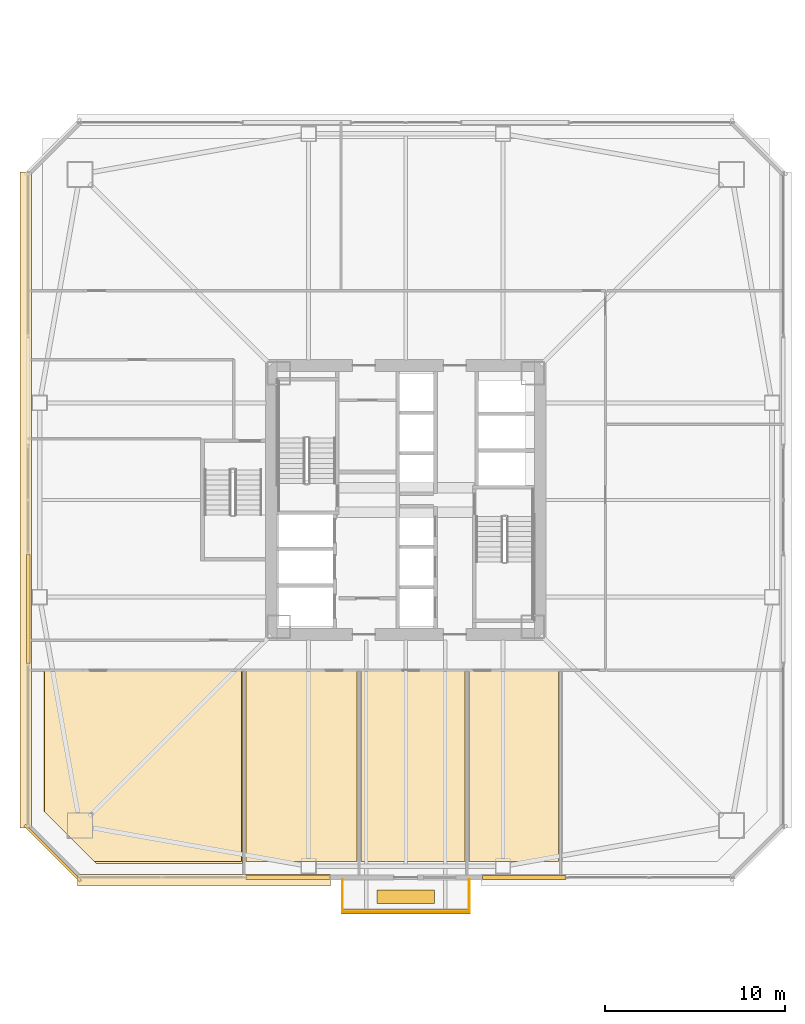
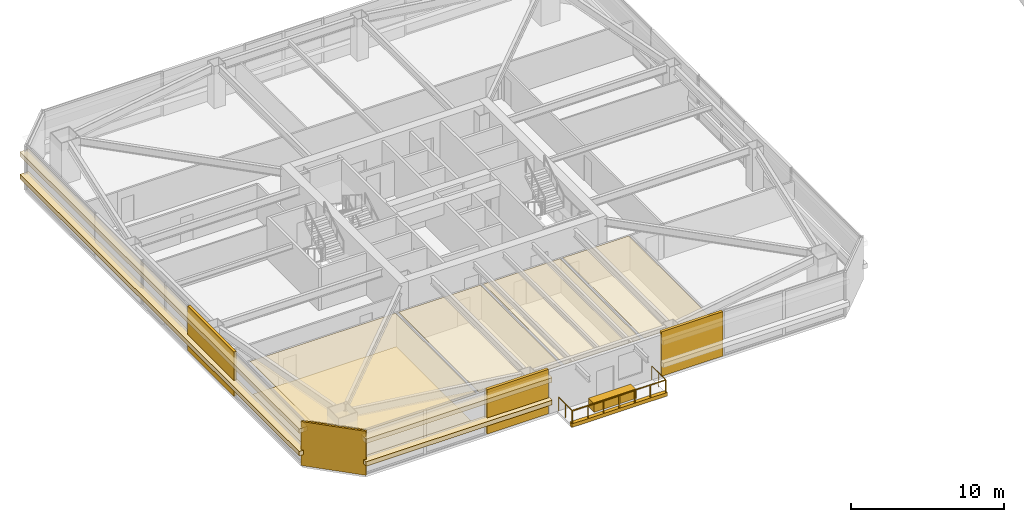
# One storey, part 38 of 44: 15 coverings, 3 railings.
"""IFC4 building model written with IfcOpenShell, lengths in metres."""

from ifc_helpers import new_model, si_unit, direction, frame, origin, origin_2d, place, context, subcontext, project, spatial, polyline, rectangle, outline, extrude, material, layer, layer_set, type_object, element, save


model = new_model("IFC4")

# Units and contexts
model_context = context("Model", 3, precision=1e-05, world=origin(), true_north=direction((0.0, 1.0)))
body_context = subcontext(model_context, "Body", "Model", "MODEL_VIEW")
ifc_project = project(units=[si_unit("LENGTHUNIT", "METRE"), si_unit("AREAUNIT", "SQUARE_METRE"), si_unit("VOLUMEUNIT", "CUBIC_METRE"), si_unit("PLANEANGLEUNIT", "RADIAN"), si_unit("MASSUNIT", "GRAM", prefix="KILO")], contexts=[model_context])

# Site, building, storey
site_placement = place(None, origin())
site = spatial("IfcSite", under=ifc_project, at=site_placement, CompositionType="ELEMENT")
building_placement = place(site_placement, origin())
building = spatial("IfcBuilding", under=site, at=building_placement, Name="Tashvorn Skyway Center", CompositionType="ELEMENT")
storey_placement = place(building_placement, frame((0.0, 0.0, 92.050048828125)))
storey = spatial("IfcBuildingStorey", under=building, at=storey_placement, Name="L24", CompositionType="ELEMENT", Elevation=92.050048828125)

# Coverings
ifc_material_1 = material(Name="Precast concrete C40/50", Category="concrete")
ifc_layer_1 = layer(ifc_material_1, 0.199951171875)
ifc_layer_set_1 = layer_set([ifc_layer_1], Name="Precast concrete C40/50")
covering_type_1 = type_object("IfcCoveringType", Name="COV-BRACE-CLAD", PredefinedType="CLADDING", material=ifc_layer_set_1)
for number, where, z_axis, x_axis, name in (
    (1, (48.571533203125, 11.02001953125, 0.0), (0.0, 0.0, 1.0), (-1.0, 0.0, 0.0), "Tower 1 L24 South Curtain Wall L Mega-Brace Cladding Band 1"),
    (2, (35.428466796875, 11.02001953125, 0.0), (0.0, 0.0, 1.0), (-1.0, 0.0, 0.0), "Tower 1 L24 South Curtain Wall R Mega-Brace Cladding Band 1"),
):
    element("IfcCovering", number, at=place(storey_placement, frame(where, z_axis=z_axis, x_axis=x_axis)), inside=storey, type_object=covering_type_1, Name=name, PredefinedType="CLADDING", context=body_context, shape_type="SweptSolid", body=[
        extrude(rectangle(XDim=4.643310546875, YDim=0.199951171875, at=origin_2d()), origin(), (0.0, 0.0, 1.0), 3.550048828125),
    ])
covering_1_placement = place(storey_placement, frame((21.02001953125, 25.93994140625, 0.0), z_axis=(0.0, 0.0, 1.0), x_axis=(0.0, 1.0, 0.0)))
element("IfcCovering", 3, at=covering_1_placement, inside=storey, type_object=covering_type_1, Name="Tower 1 L24 West Unitised Curtain Wall Mega-Brace Cladding Band 1", PredefinedType="CLADDING", context=body_context, shape_type="SweptSolid", body=[
    extrude(rectangle(XDim=6.06005859375, YDim=0.199951171875, at=origin_2d()), origin(), (0.0, 0.0, 1.0), 3.550048828125),
])
ifc_material_2 = material(Name="Mineral-fibre acoustic ceiling tile on suspended grid")
ifc_layer_2 = layer(ifc_material_2, 0.02001953125)
ifc_layer_set_2 = layer_set([ifc_layer_2], Name="Mineral-fibre acoustic ceiling tile on suspended grid")
covering_type_2 = type_object("IfcCoveringType", Name="COV-CEIL-20", PredefinedType="CEILING", material=ifc_layer_set_2)
covering_2_placement = place(storey_placement, frame((0.0, 0.0, 2.682861328125)))
element("IfcCovering", 4, at=covering_2_placement, inside=storey, type_object=covering_type_2, Name="Tower 1 L24 Executive Study Lounge Acoustic Ceiling", PredefinedType="CEILING", context=body_context, shape_type="SweptSolid", body=[
    extrude(outline(polyline([(21.919921875, 22.510009765625), (32.8798828125, 22.510009765625), (32.8798828125, 11.919921875), (24.679931640625, 11.919921875), (21.919921875, 14.679931640625), (21.919921875, 22.510009765625)])), origin(), (0.0, 0.0, 1.0), 0.02001953125),
])
covering_3_placement = place(storey_placement, frame((0.0, 0.0, 2.682861328125)))
element("IfcCovering", 5, at=covering_3_placement, inside=storey, type_object=covering_type_2, Name="Tower 1 L24 Collaborative Studio Acoustic Ceiling", PredefinedType="CEILING", context=body_context, shape_type="SweptSolid", body=[
    extrude(outline(polyline([(33.1201171875, 22.510009765625), (39.280029296875, 22.510009765625), (39.280029296875, 11.919921875), (33.1201171875, 11.919921875), (33.1201171875, 22.510009765625)])), origin(), (0.0, 0.0, 1.0), 0.02001953125),
])
covering_4_placement = place(storey_placement, frame((0.0, 0.0, 2.682861328125)))
element("IfcCovering", 6, at=covering_4_placement, inside=storey, type_object=covering_type_2, Name="Tower 1 L24 Collaborative Studio Acoustic Ceiling", PredefinedType="CEILING", context=body_context, shape_type="SweptSolid", body=[
    extrude(outline(polyline([(39.52001953125, 22.510009765625), (45.280029296875, 22.510009765625), (45.280029296875, 11.919921875), (39.52001953125, 11.919921875), (39.52001953125, 22.510009765625)])), origin(), (0.0, 0.0, 1.0), 0.02001953125),
])
covering_5_placement = place(storey_placement, frame((0.0, 0.0, 2.682861328125)))
element("IfcCovering", 7, at=covering_5_placement, inside=storey, type_object=covering_type_2, Name="Tower 1 L24 Reading Lounge Acoustic Ceiling", PredefinedType="CEILING", context=body_context, shape_type="SweptSolid", body=[
    extrude(outline(polyline([(45.52001953125, 22.510009765625), (50.47998046875, 22.510009765625), (50.47998046875, 11.919921875), (45.52001953125, 11.919921875), (45.52001953125, 22.510009765625)])), origin(), (0.0, 0.0, 1.0), 0.02001953125),
])
ifc_material_3 = material(Name="Polished Mojave desert-aggregate terrazzo and cover plate")
ifc_layer_3 = layer(ifc_material_3, 0.0400390625)
ifc_layer_set_3 = layer_set([ifc_layer_3], Name="Polished Mojave desert-aggregate terrazzo and cover plate")
covering_type_3 = type_object("IfcCoveringType", Name="COV-FLR-40", PredefinedType="FLOORING", material=ifc_layer_set_3)
covering_6_placement = place(storey_placement, origin())
element("IfcCovering", 8, at=covering_6_placement, inside=storey, type_object=covering_type_3, Name="Tower 1 L24 Executive Study Lounge Finish Flooring", PredefinedType="FLOORING", context=body_context, shape_type="SweptSolid", body=[
    extrude(outline(polyline([(24.800048828125, 11.800048828125), (21.8798828125, 14.719970703125), (21.8798828125, 22.469970703125), (32.919921875, 22.469970703125), (32.919921875, 11.800048828125), (24.800048828125, 11.800048828125)])), origin(), (0.0, 0.0, 1.0), 0.0400390625),
])
ifc_material_4 = material(Name="Perforated ceramic-coated bronze aluminium solar screen", Category="aluminium")
ifc_layer_4 = layer(ifc_material_4, 0.85009765625)
ifc_layer_set_4 = layer_set([ifc_layer_4], Name="Perforated ceramic-coated bronze aluminium solar screen")
covering_type_4 = type_object("IfcCoveringType", Name="COV-SOLAR-BAND", PredefinedType="CLADDING", material=ifc_layer_set_4)
for number, where, z_axis, x_axis, name in (
    (9, (30.784912109375, 10.8798828125, 0.919921875), (0.0, 0.0, 1.0), (-1.0, 0.0, 0.0), "L24 Perforated Ceramic-Metal Solar Screen Louvre Band South 1"),
    (10, (30.784912109375, 10.8798828125, 2.7197265625), (0.0, 0.0, 1.0), (-1.0, 0.0, 0.0), "L24 Perforated Ceramic-Metal Solar Screen Louvre Band South 2"),
):
    element("IfcCovering", number, at=place(storey_placement, frame(where, z_axis=z_axis, x_axis=x_axis)), inside=storey, type_object=covering_type_4, Name=name, PredefinedType="CLADDING", context=body_context, shape_type="SweptSolid", body=[
        extrude(rectangle(XDim=14.050048828125, YDim=0.639892578125, at=origin_2d()), origin(), (0.0, 0.0, 1.0), 0.360107421875),
    ])
for number, where, z_axis, x_axis, name in (
    (11, (20.8798828125, 32.0, 0.919921875), (0.0, 0.0, 1.0), (0.0, 1.0, 0.0), "L24 Perforated Ceramic-Metal Solar Screen Louvre Band West 1"),
    (12, (20.8798828125, 32.0, 2.7197265625), (0.0, 0.0, 1.0), (0.0, 1.0, 0.0), "L24 Perforated Ceramic-Metal Solar Screen Louvre Band West 2"),
):
    element("IfcCovering", number, at=place(storey_placement, frame(where, z_axis=z_axis, x_axis=x_axis)), inside=storey, type_object=covering_type_4, Name=name, PredefinedType="CLADDING", context=body_context, shape_type="SweptSolid", body=[
        extrude(rectangle(XDim=36.47998046875, YDim=0.639892578125, at=origin_2d()), origin(), (0.0, 0.0, 1.0), 0.360107421875),
    ])
ifc_layer_5 = layer(ifc_material_1, 0.35009765625)
ifc_layer_set_5 = layer_set([ifc_layer_5], Name="Precast concrete C40/50")
covering_type_5 = type_object("IfcCoveringType", Name="COV-STONE-TRIM", PredefinedType="CLADDING", material=ifc_layer_set_5)
covering_7_placement = place(storey_placement, frame((42.0, 9.139892578125, -0.16015625), z_axis=(0.0, 0.0, 1.0), x_axis=(-1.0, 0.0, 0.0)))
element("IfcCovering", 13, at=covering_7_placement, inside=storey, type_object=covering_type_5, Name="Tower 1 L24 Spiral Terrace Terracotta Fascia", PredefinedType="CLADDING", context=body_context, shape_type="SweptSolid", body=[
    extrude(rectangle(XDim=7.199951171875, YDim=0.280029296875, at=origin_2d()), origin(), (0.0, 0.0, 1.0), 0.280029296875),
])
covering_8_placement = place(storey_placement, frame((42.0, 9.949951171875, 0.0), z_axis=(0.0, 0.0, 1.0), x_axis=(-1.0, 0.0, 0.0)))
element("IfcCovering", 14, at=covering_8_placement, inside=storey, type_object=covering_type_5, Name="Tower 1 L24 Spiral Terrace Planter", PredefinedType="CLADDING", context=body_context, shape_type="SweptSolid", body=[
    extrude(rectangle(XDim=3.199951171875, YDim=0.75, at=origin_2d()), origin(), (0.0, 0.0, 1.0), 0.679931640625),
])
covering_9_placement = place(storey_placement, frame((22.3798828125, 12.3798828125, 0.02001953125), z_axis=(0.0, 0.0, 1.0), x_axis=(-0.707106781187, 0.707106781187, 0.0)))
element("IfcCovering", 15, at=covering_9_placement, inside=storey, type_object=covering_type_5, Name="Tower 1 L24 SW Mojave Limestone Corner Quoin", PredefinedType="CLADDING", context=body_context, shape_type="SweptSolid", body=[
    extrude(rectangle(XDim=4.402587890625, YDim=0.139892578125, at=origin_2d()), origin(), (0.0, 0.0, 1.0), 3.510009765625),
])

# Railings
ifc_material_5 = material(Name="Galvanized steel S355", Category="steel")
railing_type = type_object("IfcRailingType", Name="RAIL-GUARD-1120", PredefinedType="GUARDRAIL", material=ifc_material_5)
railing_1_placement = place(storey_placement, frame((38.47998046875, 10.89990234375, 0.0)))
element("IfcRailing", 16, at=railing_1_placement, inside=storey, type_object=railing_type, Name="L24 Tower 1 Terrace Guardrail 01", PredefinedType="GUARDRAIL", context=body_context, shape_type="SweptSolid", body=[
    extrude(rectangle(XDim=0.048095703125, YDim=0.048095703125, at=origin_2d()), frame((0.0, 0.0, 1.09619140625), z_axis=(0.0, -1.0, 0.0), x_axis=(1.0, 0.0, 0.0)), (0.0, 0.0, 1.0), 1.81982421875),
    extrude(rectangle(XDim=0.0419921875, YDim=0.0419921875, at=origin_2d()), origin(), (0.0, 0.0, 1.0), 1.072021484375),
    extrude(rectangle(XDim=0.0419921875, YDim=0.0419921875, at=origin_2d()), frame((0.0, -0.909912109375, 0.0)), (0.0, 0.0, 1.0), 1.072021484375),
    extrude(rectangle(XDim=0.0419921875, YDim=0.0419921875, at=origin_2d()), frame((0.0, -1.81982421875, 0.0)), (0.0, 0.0, 1.0), 1.072021484375),
])
railing_2_placement = place(storey_placement, frame((38.47998046875, 9.080078125, 0.0)))
element("IfcRailing", 17, at=railing_2_placement, inside=storey, type_object=railing_type, Name="L24 Tower 1 Terrace Guardrail 02", PredefinedType="GUARDRAIL", context=body_context, shape_type="SweptSolid", body=[
    extrude(rectangle(XDim=0.048095703125, YDim=0.048095703125, at=origin_2d()), frame((0.0, 0.0, 1.09619140625), z_axis=(1.0, 0.0, 0.0), x_axis=(0.0, 1.0, 0.0)), (0.0, 0.0, 1.0), 7.0400390625),
    extrude(rectangle(XDim=0.0419921875, YDim=0.0419921875, at=origin_2d()), origin(), (0.0, 0.0, 1.0), 1.072021484375),
    extrude(rectangle(XDim=0.0419921875, YDim=0.0419921875, at=origin_2d()), frame((1.17333984375, 0.0, 0.0)), (0.0, 0.0, 1.0), 1.072021484375),
    extrude(rectangle(XDim=0.0419921875, YDim=0.0419921875, at=origin_2d()), frame((2.3466796875, 0.0, 0.0)), (0.0, 0.0, 1.0), 1.072021484375),
    extrude(rectangle(XDim=0.0419921875, YDim=0.0419921875, at=origin_2d()), frame((3.52001953125, 0.0, 0.0)), (0.0, 0.0, 1.0), 1.072021484375),
    extrude(rectangle(XDim=0.0419921875, YDim=0.0419921875, at=origin_2d()), frame((4.693359375, 0.0, 0.0)), (0.0, 0.0, 1.0), 1.072021484375),
    extrude(rectangle(XDim=0.0419921875, YDim=0.0419921875, at=origin_2d()), frame((5.86669921875, 0.0, 0.0)), (0.0, 0.0, 1.0), 1.072021484375),
    extrude(rectangle(XDim=0.0419921875, YDim=0.0419921875, at=origin_2d()), frame((7.0400390625, 0.0, 0.0)), (0.0, 0.0, 1.0), 1.072021484375),
])
railing_3_placement = place(storey_placement, frame((45.52001953125, 9.080078125, 0.0)))
element("IfcRailing", 18, at=railing_3_placement, inside=storey, type_object=railing_type, Name="L24 Tower 1 Terrace Guardrail 03", PredefinedType="GUARDRAIL", context=body_context, shape_type="SweptSolid", body=[
    extrude(rectangle(XDim=0.048095703125, YDim=0.048095703125, at=origin_2d()), frame((0.0, 0.0, 1.09619140625), z_axis=(0.0, 1.0, 0.0), x_axis=(-1.0, 0.0, 0.0)), (0.0, 0.0, 1.0), 1.81982421875),
    extrude(rectangle(XDim=0.0419921875, YDim=0.0419921875, at=origin_2d()), origin(), (0.0, 0.0, 1.0), 1.072021484375),
    extrude(rectangle(XDim=0.0419921875, YDim=0.0419921875, at=origin_2d()), frame((0.0, 0.909912109375, 0.0)), (0.0, 0.0, 1.0), 1.072021484375),
    extrude(rectangle(XDim=0.0419921875, YDim=0.0419921875, at=origin_2d()), frame((0.0, 1.81982421875, 0.0)), (0.0, 0.0, 1.0), 1.072021484375),
])

save(model, "model.ifc")
